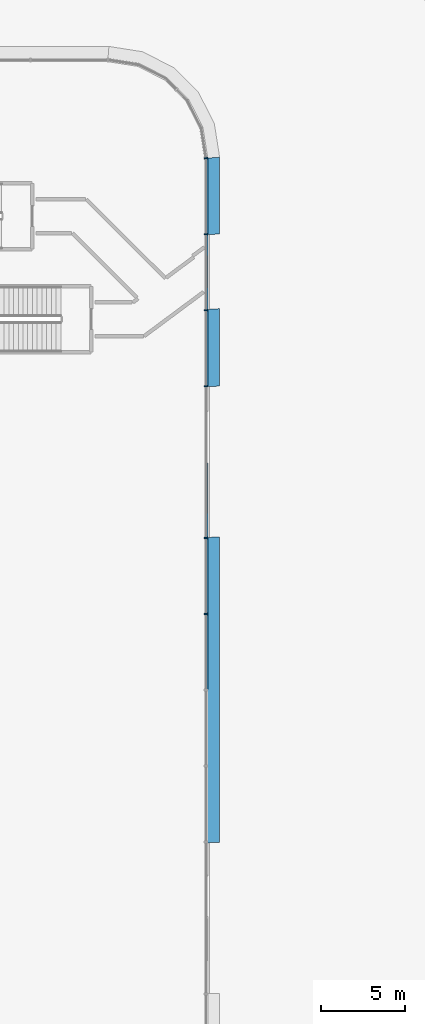
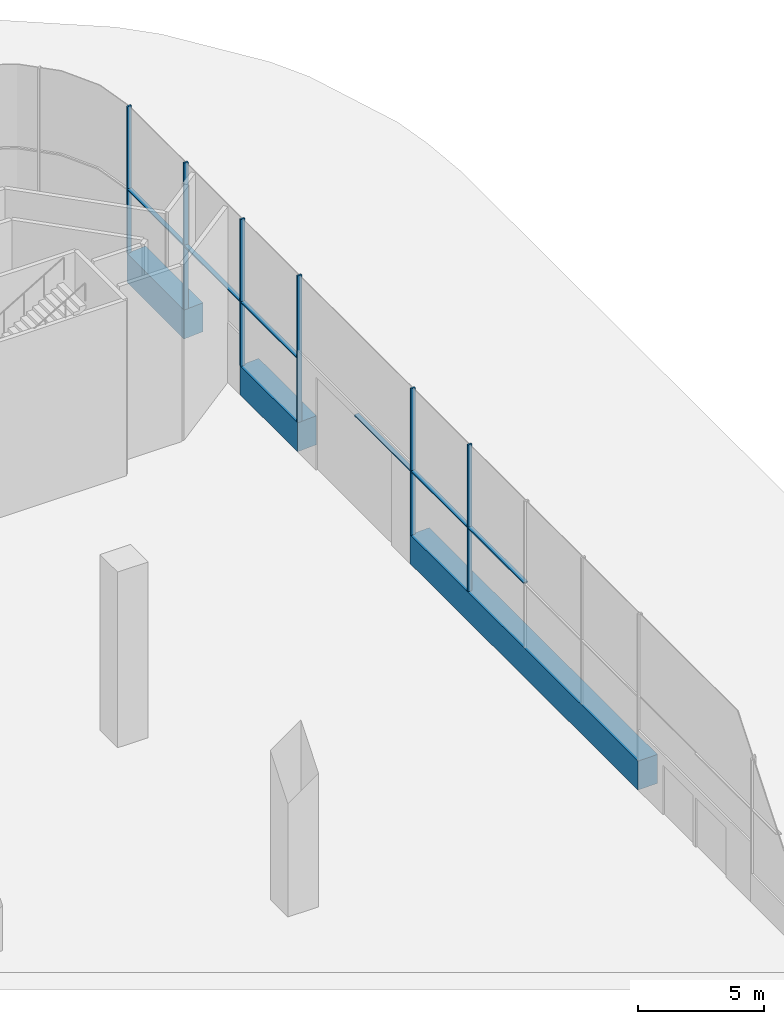
# One storey, part 14 of 54: 15 members, 2 elements without a shape of their own.
"""IFC4 building model written with IfcOpenShell, lengths in metres."""

from ifc_helpers import new_model, si_unit, direction, frame, origin, origin_2d, place, context, subcontext, project, spatial, polyline, rectangle, outline, extrude, material, layer, layer_set, material_profile, profile_set, type_object, element, aggregate, save


model = new_model("IFC4")

# Units and contexts
model_context = context("Model", 3, precision=1e-05, world=origin(), true_north=direction((0.0, 1.0)))
body_context = subcontext(model_context, "Body", "Model", "MODEL_VIEW")
ifc_project = project(units=[si_unit("LENGTHUNIT", "METRE"), si_unit("AREAUNIT", "SQUARE_METRE"), si_unit("VOLUMEUNIT", "CUBIC_METRE"), si_unit("PLANEANGLEUNIT", "RADIAN"), si_unit("MASSUNIT", "GRAM", prefix="KILO")], contexts=[model_context])

# Site, building, storey
site_placement = place(None, origin())
site = spatial("IfcSite", under=ifc_project, at=site_placement, CompositionType="ELEMENT")
building_placement = place(site_placement, origin())
building = spatial("IfcBuilding", under=site, at=building_placement, Name="Tamarind Cross Interchange Tower", CompositionType="ELEMENT")
storey_placement = place(building_placement, origin())
storey = spatial("IfcBuildingStorey", under=building, at=storey_placement, Name="L00", CompositionType="ELEMENT", Elevation=0.0)

# Curtain wall, members
ifc_material_1 = material(Name="Aluminium 6063-T6", Category="aluminium")
ifc_layer = layer(ifc_material_1, 0.199951171875)
ifc_layer_set = layer_set([ifc_layer], Name="Aluminium 6063-T6")
curtain_wall_type = type_object("IfcCurtainWallType", Name="Podium shopfront and station curtain wall", PredefinedType="NOTDEFINED", material=ifc_layer_set)
curtain_wall_1_placement = place(storey_placement, origin())
curtain_wall_1 = element("IfcCurtainWall", 1, at=curtain_wall_1_placement, inside=storey, type_object=curtain_wall_type, Name="CWS-L00-00", PredefinedType="NOTDEFINED")
ifc_material_2 = material(Name="Aluminium and insulated spandrel panel", Category="aluminium")
member_type_1 = type_object("IfcMemberType", Name="Floor-edge blade transom", PredefinedType="USERDEFINED", material=ifc_material_2)
member_1_placement = place(storey_placement, origin())
member_1 = element("IfcMember", 2, at=member_1_placement, type_object=member_type_1, Name="CWT-L00-00-5", ObjectType="TRANSOM", PredefinedType="USERDEFINED", context=body_context, shape_type="SweptSolid", body=[
    extrude(outline(polyline([(69.699951171875, 13.4541015625), (69.699951171875, 31.526123046875), (70.60009765625, 31.567626953125), (70.60009765625, 13.4716796875), (69.699951171875, 13.4541015625)])), origin(), (0.0, 0.0, 1.0), 1.39990234375),
])
member_2_placement = place(storey_placement, origin())
member_2 = element("IfcMember", 3, at=member_2_placement, type_object=member_type_1, Name="CWT-L00-00-6", ObjectType="TRANSOM", PredefinedType="USERDEFINED", context=body_context, shape_type="SweptSolid", body=[
    extrude(outline(polyline([(69.699951171875, 40.4423828125), (69.699951171875, 45.020263671875), (70.60009765625, 45.079345703125), (70.60009765625, 40.495361328125), (69.699951171875, 40.4423828125)])), origin(), (0.0, 0.0, 1.0), 1.39990234375),
])
member_3_placement = place(storey_placement, origin())
member_3 = element("IfcMember", 4, at=member_3_placement, type_object=member_type_1, Name="CWT-L00-00-7", ObjectType="TRANSOM", PredefinedType="USERDEFINED", context=body_context, shape_type="SweptSolid", body=[
    extrude(outline(polyline([(69.699951171875, 49.4384765625), (69.699951171875, 53.976318359375), (70.60009765625, 54.047119140625), (70.60009765625, 49.503173828125), (69.699951171875, 49.4384765625)])), origin(), (0.0, 0.0, 1.0), 1.39990234375),
])
ifc_material_profile = material_profile(ifc_material_1, rectangle(XDim=0.080078125, YDim=0.199951171875, at=origin_2d()), Name="Mullion CW3")
ifc_profile_set = profile_set([ifc_material_profile], Name="Aluminium 6063-T6")
member_type_2 = type_object("IfcMemberType", Name="Mullion CW3", PredefinedType="MULLION", material=ifc_profile_set)
member_4_placement = place(storey_placement, frame((69.800048828125, 26.9921875, 1.39990234375), z_axis=(0.0, 0.0, 1.0), x_axis=(0.0, 1.0, 0.0)))
member_4 = element("IfcMember", 5, at=member_4_placement, type_object=member_type_2, Name="CWM-L00-00-18", PredefinedType="MULLION", context=body_context, shape_type="SweptSolid", body=[
    extrude(rectangle(XDim=0.080078125, YDim=0.199951171875, at=origin_2d()), origin(), (0.0, 0.0, 1.0), 7.10009765625),
])
member_5_placement = place(storey_placement, frame((69.800048828125, 31.49072265625, 1.39990234375), z_axis=(0.0, 0.0, 1.0), x_axis=(0.0, 1.0, 0.0)))
member_5 = element("IfcMember", 6, at=member_5_placement, type_object=member_type_2, Name="CWM-L00-00-19", PredefinedType="MULLION", context=body_context, shape_type="SweptSolid", body=[
    extrude(rectangle(XDim=0.080078125, YDim=0.199951171875, at=origin_2d()), origin(), (0.0, 0.0, 1.0), 7.10009765625),
])
member_6_placement = place(storey_placement, frame((69.800048828125, 40.48828125, 1.39990234375), z_axis=(0.0, 0.0, 1.0), x_axis=(0.0, 1.0, 0.0)))
member_6 = element("IfcMember", 7, at=member_6_placement, type_object=member_type_2, Name="CWM-L00-00-21", PredefinedType="MULLION", context=body_context, shape_type="SweptSolid", body=[
    extrude(rectangle(XDim=0.080078125, YDim=0.199951171875, at=origin_2d()), origin(), (0.0, 0.0, 1.0), 7.10009765625),
])
member_7_placement = place(storey_placement, frame((69.800048828125, 44.98681640625, 1.39990234375), z_axis=(0.0, 0.0, 1.0), x_axis=(0.0, 1.0, 0.0)))
member_7 = element("IfcMember", 8, at=member_7_placement, type_object=member_type_2, Name="CWM-L00-00-22", PredefinedType="MULLION", context=body_context, shape_type="SweptSolid", body=[
    extrude(rectangle(XDim=0.080078125, YDim=0.199951171875, at=origin_2d()), origin(), (0.0, 0.0, 1.0), 7.10009765625),
])
member_8_placement = place(storey_placement, frame((69.800048828125, 49.485595703125, 1.39990234375), z_axis=(0.0, 0.0, 1.0), x_axis=(0.0, 1.0, 0.0)))
member_8 = element("IfcMember", 9, at=member_8_placement, type_object=member_type_2, Name="CWM-L00-00-23", PredefinedType="MULLION", context=body_context, shape_type="SweptSolid", body=[
    extrude(rectangle(XDim=0.080078125, YDim=0.199951171875, at=origin_2d()), origin(), (0.0, 0.0, 1.0), 7.10009765625),
])

# Curtain wall, member
curtain_wall_2_placement = place(storey_placement, origin())
curtain_wall_2 = element("IfcCurtainWall", 10, at=curtain_wall_2_placement, inside=storey, type_object=curtain_wall_type, Name="CWS-L00-01", PredefinedType="NOTDEFINED")
member_9_placement = place(storey_placement, frame((69.800048828125, 53.984375, 1.39990234375), z_axis=(0.0, 0.0, 1.0), x_axis=(-0.078459095728, 0.996917333733, 0.0)))
member_9 = element("IfcMember", 11, at=member_9_placement, type_object=member_type_2, Name="CWM-L00-01-00", PredefinedType="MULLION", context=body_context, shape_type="SweptSolid", body=[
    extrude(rectangle(XDim=0.080078125, YDim=0.199951171875, at=origin_2d()), origin(), (0.0, 0.0, 1.0), 7.10009765625),
])
aggregate(curtain_wall_2, [member_9])

# Member
member_type_3 = type_object("IfcMemberType", Name="Podium intermediate transom", PredefinedType="USERDEFINED", material=ifc_material_1)
member_10_placement = place(storey_placement, frame((0.0, 0.0, 4.469970703125)))
member_10 = element("IfcMember", 12, at=member_10_placement, type_object=member_type_3, Name="CWT-L00-00-I0-17", ObjectType="TRANSOM", PredefinedType="USERDEFINED", context=body_context, shape_type="SweptSolid", body=[
    extrude(outline(polyline([(69.699951171875, 22.533447265625), (69.699951171875, 26.9521484375), (69.89990234375, 26.9521484375), (69.89990234375, 22.533447265625), (69.699951171875, 22.533447265625)])), origin(), (0.0, 0.0, 1.0), 0.06005859375),
])

member_11_placement = place(storey_placement, frame((0.0, 0.0, 4.469970703125)))
member_11 = element("IfcMember", 13, at=member_11_placement, type_object=member_type_3, Name="CWT-L00-00-I0-18", ObjectType="TRANSOM", PredefinedType="USERDEFINED", context=body_context, shape_type="SweptSolid", body=[
    extrude(outline(polyline([(69.699951171875, 27.0322265625), (69.699951171875, 31.450927734375), (69.89990234375, 31.450927734375), (69.89990234375, 27.0322265625), (69.699951171875, 27.0322265625)])), origin(), (0.0, 0.0, 1.0), 0.06005859375),
])

member_12_placement = place(storey_placement, frame((0.0, 0.0, 4.469970703125)))
member_12 = element("IfcMember", 14, at=member_12_placement, type_object=member_type_3, Name="CWT-L00-00-I0-19", ObjectType="TRANSOM", PredefinedType="USERDEFINED", context=body_context, shape_type="SweptSolid", body=[
    extrude(outline(polyline([(69.699951171875, 31.53076171875), (69.699951171875, 35.949462890625), (69.89990234375, 35.949462890625), (69.89990234375, 31.53076171875), (69.699951171875, 31.53076171875)])), origin(), (0.0, 0.0, 1.0), 0.06005859375),
])

member_13_placement = place(storey_placement, frame((0.0, 0.0, 4.469970703125)))
member_13 = element("IfcMember", 15, at=member_13_placement, type_object=member_type_3, Name="CWT-L00-00-I0-21", ObjectType="TRANSOM", PredefinedType="USERDEFINED", context=body_context, shape_type="SweptSolid", body=[
    extrude(outline(polyline([(69.699951171875, 40.528076171875), (69.699951171875, 44.94677734375), (69.89990234375, 44.94677734375), (69.89990234375, 40.528076171875), (69.699951171875, 40.528076171875)])), origin(), (0.0, 0.0, 1.0), 0.06005859375),
])

member_14_placement = place(storey_placement, frame((0.0, 0.0, 4.469970703125)))
member_14 = element("IfcMember", 16, at=member_14_placement, type_object=member_type_3, Name="CWT-L00-00-I0-22", ObjectType="TRANSOM", PredefinedType="USERDEFINED", context=body_context, shape_type="SweptSolid", body=[
    extrude(outline(polyline([(69.699951171875, 45.02685546875), (69.699951171875, 49.445556640625), (69.89990234375, 49.445556640625), (69.89990234375, 45.02685546875), (69.699951171875, 45.02685546875)])), origin(), (0.0, 0.0, 1.0), 0.06005859375),
])

member_15_placement = place(storey_placement, frame((0.0, 0.0, 4.469970703125)))
member_15 = element("IfcMember", 17, at=member_15_placement, type_object=member_type_3, Name="CWT-L00-00-I0-23", ObjectType="TRANSOM", PredefinedType="USERDEFINED", context=body_context, shape_type="SweptSolid", body=[
    extrude(outline(polyline([(69.699951171875, 49.525634765625), (69.699951171875, 53.9443359375), (69.89990234375, 53.9443359375), (69.89990234375, 49.525634765625), (69.699951171875, 49.525634765625)])), origin(), (0.0, 0.0, 1.0), 0.06005859375),
])

aggregate(curtain_wall_1, [member_4, member_5, member_6, member_7, member_8, member_10, member_11, member_12, member_13, member_14, member_15, member_1, member_2, member_3])

save(model, "model.ifc")
